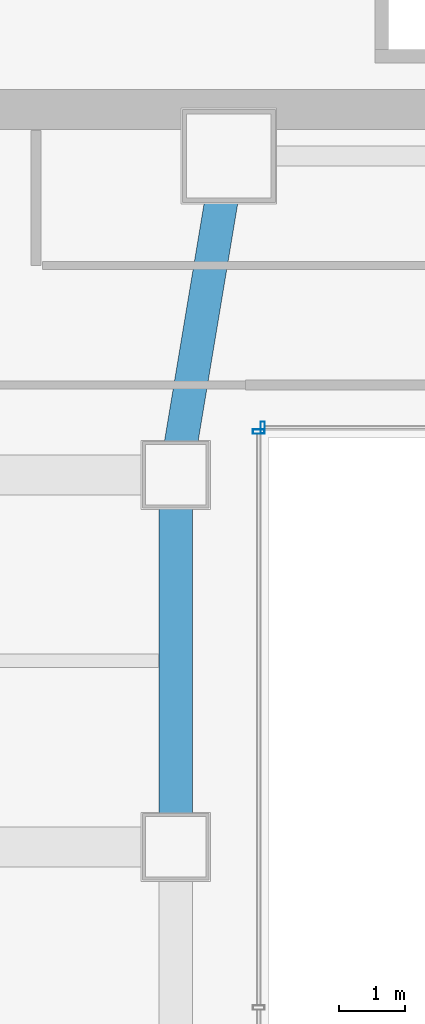
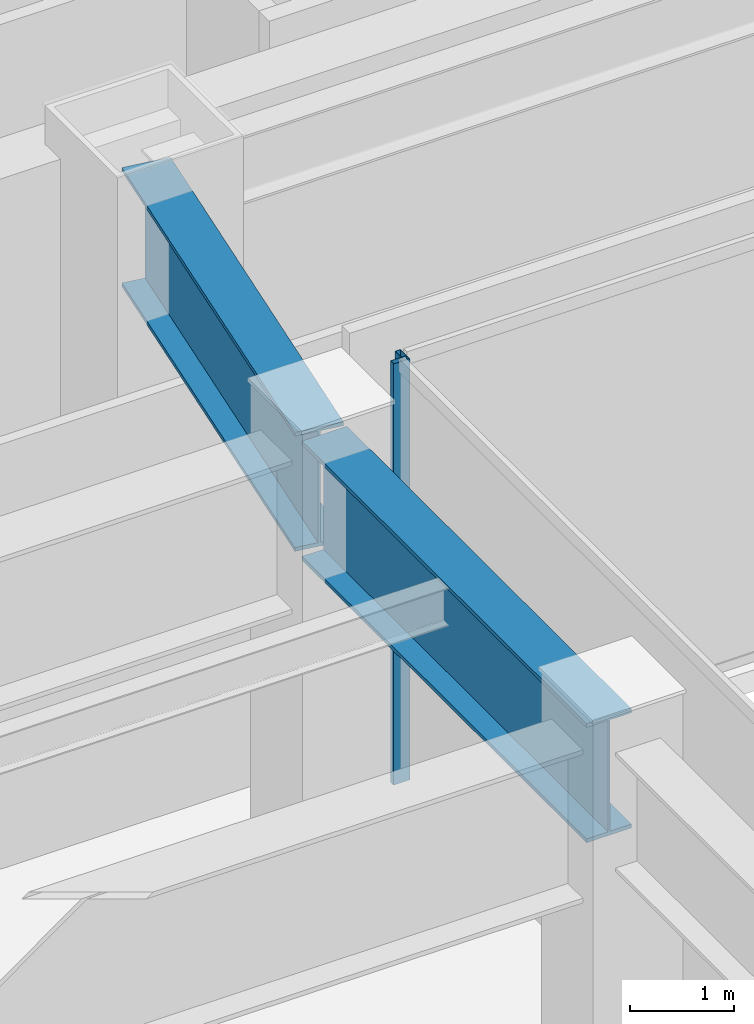
# One storey, part 27 of 42: 2 beams, 2 members, 2 elements without a shape of their own.
"""IFC4 building model written with IfcOpenShell, lengths in metres."""

from ifc_helpers import new_model, si_unit, direction, frame, origin, origin_2d, place, context, subcontext, project, spatial, hollow_rectangle, i_section, extrude, material, material_profile, profile_set, type_object, element, aggregate, save


model = new_model("IFC4")

# Units and contexts
model_context = context("Model", 3, precision=1e-05, world=origin(), true_north=direction((0.0, 1.0)))
body_context = subcontext(model_context, "Body", "Model", "MODEL_VIEW")
ifc_project = project(units=[si_unit("LENGTHUNIT", "METRE"), si_unit("AREAUNIT", "SQUARE_METRE"), si_unit("VOLUMEUNIT", "CUBIC_METRE"), si_unit("PLANEANGLEUNIT", "RADIAN"), si_unit("MASSUNIT", "GRAM", prefix="KILO")], contexts=[model_context])

# Site, building, storey
site_placement = place(None, origin())
site = spatial("IfcSite", under=ifc_project, at=site_placement, CompositionType="ELEMENT")
building_placement = place(site_placement, origin())
building = spatial("IfcBuilding", under=site, at=building_placement, Name="Saevonmaru Cultural Tower", CompositionType="ELEMENT")
storey_placement = place(building_placement, frame((0.0, 0.0, 33.0)))
storey = spatial("IfcBuildingStorey", under=building, at=storey_placement, Name="L06", CompositionType="ELEMENT", Elevation=33.0)

# Beams
ifc_material_1 = material(Name="Steel HSA600 (600 MPa)", Category="steel")
ifc_material_profile_1 = material_profile(ifc_material_1, i_section(OverallWidth=0.5, OverallDepth=1.39990234375, WebThickness=0.02392578125, FlangeThickness=0.044921875, at=origin_2d()), Name="PG-1400x500x24x45")
ifc_profile_set_1 = profile_set([ifc_material_profile_1], Name="Steel HSA600 (600 MPa)")
beam_type = type_object("IfcBeamType", Name="BM-TG-PG1400", PredefinedType="BEAM", material=ifc_profile_set_1)
beam_1_placement = place(storey_placement, frame((22.800048828125, 32.06005859375, 4.25), z_axis=(0.0, 1.0, 0.0), x_axis=(-1.0, 0.0, 0.0)))
element("IfcBeam", 1, at=beam_1_placement, inside=storey, type_object=beam_type, Name="L06 Podium Girder NS2-5", PredefinedType="BEAM", context=body_context, shape_type="SweptSolid", body=[
    extrude(i_section(OverallWidth=0.5, OverallDepth=1.39990234375, WebThickness=0.02392578125, FlangeThickness=0.044921875, at=origin_2d()), origin(), (0.0, 0.0, 1.0), 5.47998046875),
])
beam_2_placement = place(storey_placement, frame((22.809814453125, 37.6591796875, 4.25), z_axis=(0.164398987305, 0.986393923832, 0.0), x_axis=(-0.986393923832, 0.164398987305, 0.0)))
element("IfcBeam", 2, at=beam_2_placement, inside=storey, type_object=beam_type, Name="L06 Podium Girder NS2-6", PredefinedType="BEAM", context=body_context, shape_type="SweptSolid", body=[
    extrude(i_section(OverallWidth=0.5, OverallDepth=1.39990234375, WebThickness=0.02392578125, FlangeThickness=0.044921875, at=origin_2d()), origin(), (0.0, 0.0, 1.0), 4.746337890625),
])

# Curtain wall, member
ifc_material_2 = material(Name="Satin Bronze Anodised Aluminium", Category="aluminium")
curtain_wall_type = type_object("IfcCurtainWallType", Name="CW-ATR-GLZ", PredefinedType="NOTDEFINED", material=ifc_material_2)
curtain_wall_1_placement = place(storey_placement, origin())
curtain_wall_1 = element("IfcCurtainWall", 3, at=curtain_wall_1_placement, inside=storey, type_object=curtain_wall_type, Name="L06 Vertical Atrium Glazed Smoke Screen 3", PredefinedType="NOTDEFINED")
ifc_material_profile_2 = material_profile(ifc_material_2, hollow_rectangle(XDim=0.06494140625, YDim=0.179931640625, WallThickness=0.00390625, at=origin_2d()), Name="ALU-MULL-180x65x4")
ifc_profile_set_2 = profile_set([ifc_material_profile_2], Name="Satin Bronze Anodised Aluminium")
member_type = type_object("IfcMemberType", Name="ML-CW-INT-180x65", PredefinedType="MULLION", material=ifc_profile_set_2)
member_1_placement = place(storey_placement, frame((24.110107421875, 38.31005859375, 0.0), z_axis=(0.0, 0.0, 1.0), x_axis=(-1.0, 0.0, 0.0)))
member_1 = element("IfcMember", 4, at=member_1_placement, type_object=member_type, Name="CW-ATR-L06-3 mullion 2", PredefinedType="MULLION", context=body_context, shape_type="SweptSolid", body=[
    extrude(hollow_rectangle(XDim=0.06494140625, YDim=0.179931640625, WallThickness=0.00390625, at=origin_2d()), origin(), (0.0, 0.0, 1.0), 4.949951171875),
])
aggregate(curtain_wall_1, [member_1])

curtain_wall_2_placement = place(storey_placement, origin())
curtain_wall_2 = element("IfcCurtainWall", 5, at=curtain_wall_2_placement, inside=storey, type_object=curtain_wall_type, Name="L06 Vertical Atrium Glazed Smoke Screen 4", PredefinedType="NOTDEFINED")
member_2_placement = place(storey_placement, frame((24.050048828125, 38.25, 0.0), z_axis=(0.0, 0.0, 1.0), x_axis=(0.0, -1.0, 0.0)))
member_2 = element("IfcMember", 6, at=member_2_placement, type_object=member_type, Name="CW-ATR-L06-4 mullion 1", PredefinedType="MULLION", context=body_context, shape_type="SweptSolid", body=[
    extrude(hollow_rectangle(XDim=0.06494140625, YDim=0.179931640625, WallThickness=0.00390625, at=origin_2d()), origin(), (0.0, 0.0, 1.0), 4.949951171875),
])
aggregate(curtain_wall_2, [member_2])

save(model, "model.ifc")
